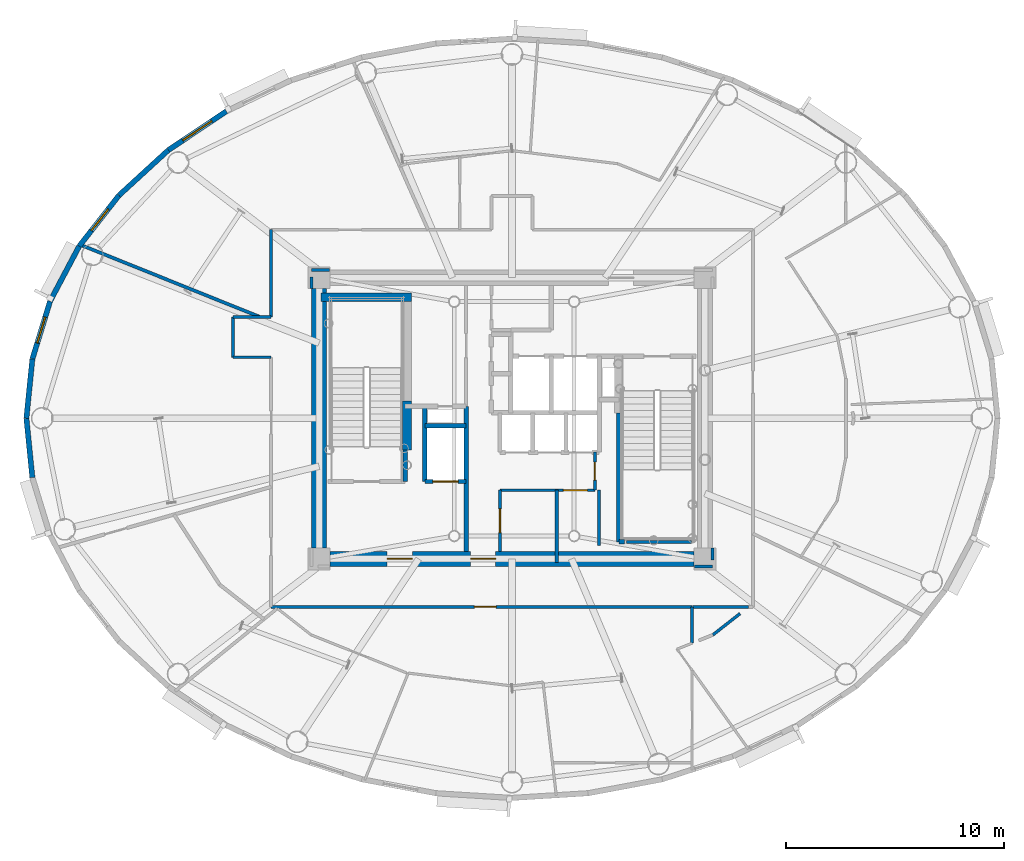
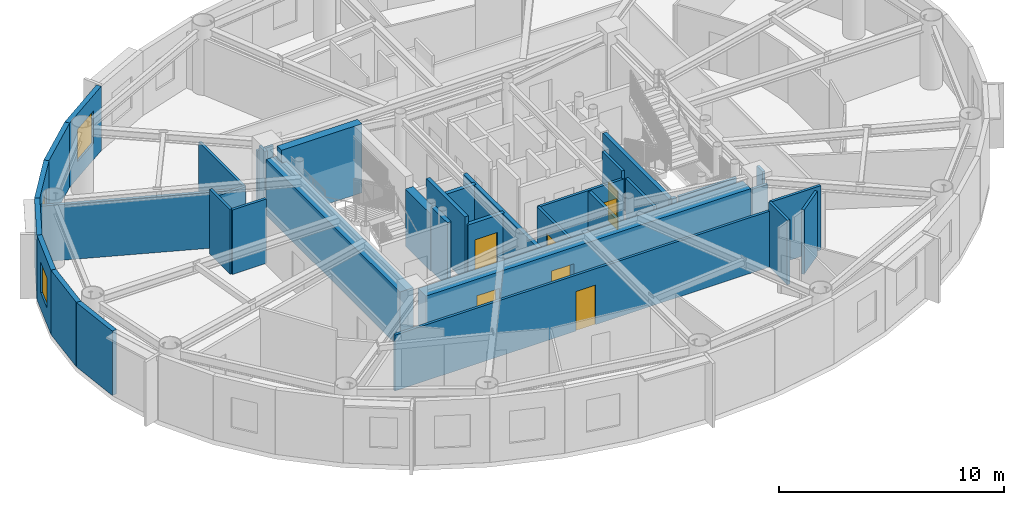
# One storey, part 7 of 17: 37 walls, 7 doors, 3 windows, 10 openings.
"""IFC4 building model written with IfcOpenShell, lengths in metres."""

from ifc_helpers import new_model, si_unit, direction, frame, frame_2d, origin, origin_2d, place, context, subcontext, project, spatial, rectangle, extrude, source, transform, mapped, material, layer, layer_set, type_object, element, fill, save


model = new_model("IFC4")

# Units and contexts
model_context = context("Model", 3, precision=1e-05, world=origin(), true_north=direction((0.0, 1.0)))
body_context = subcontext(model_context, "Body", "Model", "MODEL_VIEW")
ifc_project = project(units=[si_unit("LENGTHUNIT", "METRE"), si_unit("AREAUNIT", "SQUARE_METRE"), si_unit("VOLUMEUNIT", "CUBIC_METRE"), si_unit("PLANEANGLEUNIT", "RADIAN"), si_unit("MASSUNIT", "GRAM", prefix="KILO")], contexts=[model_context])

# Site, building, storey
site_placement = place(None, origin())
site = spatial("IfcSite", under=ifc_project, at=site_placement, CompositionType="ELEMENT")
building_placement = place(site_placement, origin())
building = spatial("IfcBuilding", under=site, at=building_placement, Name="Linh Dai School and Residence Tower", CompositionType="ELEMENT")
storey_placement = place(building_placement, frame((0.0, 0.0, 310.5)))
storey = spatial("IfcBuildingStorey", under=building, at=storey_placement, Name="L77", CompositionType="ELEMENT", Elevation=310.5)

# Wall, opening, window
ifc_material_1 = material(Name="Precast Concrete B45 (C35/45)", Category="concrete")
ifc_layer_1 = layer(ifc_material_1, 0.239990234375)
ifc_layer_set_1 = layer_set([ifc_layer_1], Name="Precast Concrete B45 (C35/45)")
wall_type_1 = type_object("IfcWallType", Name="EW-TC-240", PredefinedType="SOLIDWALL", material=ifc_layer_set_1)
wall_1_placement = place(storey_placement, frame((20.23779296875, 39.30419921875, 0.0), z_axis=(0.0, 0.0, 1.0), x_axis=(0.831250592635, 0.55589787933, 0.0)))
wall_1 = element("IfcWall", 1, at=wall_1_placement, inside=storey, type_object=wall_type_1, Name="L77 Terracotta Exterior Wall 15", PredefinedType="SOLIDWALL", context=body_context, shape_type="SweptSolid", body=[
    extrude(rectangle(XDim=3.197265625, YDim=0.239990234375, at=frame_2d((1.5986328125, 0.0))), origin(), (0.0, 0.0, 1.0), 3.5),
])
opening_1_placement = place(wall_1_placement, frame((0.798583984375, 0.0, 0.89990234375)))
opening_1 = element("IfcOpeningElement", 2, at=opening_1_placement, cuts=wall_1, Name="Opening W2", PredefinedType="OPENING", context=body_context, shape_type="SweptSolid", body=[
    extrude(rectangle(XDim=1.60009765625, YDim=1.75, at=origin_2d()), frame((0.800048828125, 0.1298828125, 0.875), z_axis=(0.0, -1.0, 0.0), x_axis=(1.0, 0.0, 0.0)), (0.0, 0.0, 1.0), 0.260009765625),
])
ifc_material_2 = material(Name="Double Low-E Insulated Glazing", Category="glass")
window_type_1 = type_object("IfcWindowType", Name="WN-RES-1600x1750", PartitioningType="DOUBLE_PANEL_VERTICAL", PredefinedType="WINDOW", material=ifc_material_2)
shared_shape_1 = source(origin(), body_context, "Body", "SweptSolid", [
    extrude(rectangle(XDim=1.60009765625, YDim=1.75, at=origin_2d()), frame((0.800048828125, 0.030029296875, 0.875), z_axis=(0.0, -1.0, 0.0), x_axis=(1.0, 0.0, 0.0)), (0.0, 0.0, 1.0), 0.06005859375),
])
window_1_placement = place(opening_1_placement, origin())
window_1 = element("IfcWindow", 3, at=window_1_placement, inside=storey, type_object=window_type_1, Name="L77 Exterior Window 15.1", OverallHeight=1.75, OverallWidth=1.60009765625, PartitioningType="DOUBLE_PANEL_VERTICAL", PredefinedType="WINDOW", context=body_context, shape_type="MappedRepresentation", body=[
    mapped(shared_shape_1, transform((0.0, 0.0, 0.0), x_axis=(1.0, 0.0, 0.0), y_axis=(0.0, 1.0, 0.0), z_axis=(0.0, 0.0, 1.0), scale=1.0)),
])
fill(opening_1, window_1)

# Wall
wall_2_placement = place(storey_placement, frame((17.9697265625, 37.224609375, 0.0), z_axis=(0.0, 0.0, 1.0), x_axis=(0.737068506972, 0.675818034703, 0.0)))
element("IfcWall", 4, at=wall_2_placement, inside=storey, type_object=wall_type_1, Name="L77 Terracotta Exterior Wall 16", PredefinedType="SOLIDWALL", context=body_context, shape_type="SweptSolid", body=[
    extrude(rectangle(XDim=3.0771484375, YDim=0.239990234375, at=frame_2d((1.53857421875, 0.0))), origin(), (0.0, 0.0, 1.0), 3.5),
])

# Wall, opening, window
wall_3_placement = place(storey_placement, frame((16.146240234375, 34.894775390625, 0.0), z_axis=(0.0, 0.0, 1.0), x_axis=(0.616337186556, 0.787482363275, 0.0)))
wall_3 = element("IfcWall", 5, at=wall_3_placement, inside=storey, type_object=wall_type_1, Name="L77 Terracotta Exterior Wall 17", PredefinedType="SOLIDWALL", context=body_context, shape_type="SweptSolid", body=[
    extrude(rectangle(XDim=2.95849609375, YDim=0.239990234375, at=frame_2d((1.479248046875, 0.0))), origin(), (0.0, 0.0, 1.0), 3.5),
])
opening_2_placement = place(wall_3_placement, frame((0.90869140625, 0.0, 0.89990234375)))
opening_2 = element("IfcOpeningElement", 6, at=opening_2_placement, cuts=wall_3, Name="Opening W3", PredefinedType="OPENING", context=body_context, shape_type="SweptSolid", body=[
    extrude(rectangle(XDim=1.25, YDim=1.64990234375, at=origin_2d()), frame((0.625, 0.1298828125, 0.824951171875), z_axis=(0.0, -1.0, 0.0), x_axis=(1.0, 0.0, 0.0)), (0.0, 0.0, 1.0), 0.260009765625),
])
window_type_2 = type_object("IfcWindowType", Name="WN-RES-1250x1650", PartitioningType="SINGLE_PANEL", PredefinedType="WINDOW", material=ifc_material_2)
shared_shape_2 = source(origin(), body_context, "Body", "SweptSolid", [
    extrude(rectangle(XDim=1.25, YDim=1.64990234375, at=origin_2d()), frame((0.625, 0.030029296875, 0.824951171875), z_axis=(0.0, -1.0, 0.0), x_axis=(1.0, 0.0, 0.0)), (0.0, 0.0, 1.0), 0.06005859375),
])
window_2_placement = place(opening_2_placement, origin())
window_2 = element("IfcWindow", 7, at=window_2_placement, inside=storey, type_object=window_type_2, Name="L77 Exterior Window 17.1", OverallHeight=1.64990234375, OverallWidth=1.25, PartitioningType="SINGLE_PANEL", PredefinedType="WINDOW", context=body_context, shape_type="MappedRepresentation", body=[
    mapped(shared_shape_2, transform((0.0, 0.0, 0.0), x_axis=(1.0, 0.0, 0.0), y_axis=(0.0, 1.0, 0.0), z_axis=(0.0, 0.0, 1.0), scale=1.0)),
])
fill(opening_2, window_2)

# Wall
wall_4_placement = place(storey_placement, frame((14.811767578125, 32.372314453125, 0.0), z_axis=(0.0, 0.0, 1.0), x_axis=(0.467628269026, 0.883925224218, 0.0)))
element("IfcWall", 8, at=wall_4_placement, inside=storey, type_object=wall_type_1, Name="L77 Terracotta Exterior Wall 18", PredefinedType="SOLIDWALL", context=body_context, shape_type="SweptSolid", body=[
    extrude(rectangle(XDim=2.853759765625, YDim=0.239990234375, at=frame_2d((1.4267578125, 0.0))), origin(), (0.0, 0.0, 1.0), 3.5),
])

# Wall, opening, window
wall_5_placement = place(storey_placement, frame((13.998291015625, 29.718994140625, 0.0), z_axis=(0.0, 0.0, 1.0), x_axis=(0.2931213403, 0.956075248012, 0.0)))
wall_5 = element("IfcWall", 9, at=wall_5_placement, inside=storey, type_object=wall_type_1, Name="L77 Terracotta Exterior Wall 19", PredefinedType="SOLIDWALL", context=body_context, shape_type="SweptSolid", body=[
    extrude(rectangle(XDim=2.775146484375, YDim=0.239990234375, at=frame_2d((1.3876953125, 0.0))), origin(), (0.0, 0.0, 1.0), 3.5),
])
opening_3_placement = place(wall_5_placement, frame((0.7626953125, 0.0, 0.89990234375)))
opening_3 = element("IfcOpeningElement", 10, at=opening_3_placement, cuts=wall_5, Name="Opening W3", PredefinedType="OPENING", context=body_context, shape_type="SweptSolid", body=[
    extrude(rectangle(XDim=1.25, YDim=1.64990234375, at=origin_2d()), frame((0.625, 0.1298828125, 0.824951171875), z_axis=(0.0, -1.0, 0.0), x_axis=(1.0, 0.0, 0.0)), (0.0, 0.0, 1.0), 0.260009765625),
])
window_3_placement = place(opening_3_placement, origin())
window_3 = element("IfcWindow", 11, at=window_3_placement, inside=storey, type_object=window_type_2, Name="L77 Exterior Window 19.1", OverallHeight=1.64990234375, OverallWidth=1.25, PartitioningType="SINGLE_PANEL", PredefinedType="WINDOW", context=body_context, shape_type="MappedRepresentation", body=[
    mapped(shared_shape_2, transform((0.0, 0.0, 0.0), x_axis=(1.0, 0.0, 0.0), y_axis=(0.0, 1.0, 0.0), z_axis=(0.0, 0.0, 1.0), scale=1.0)),
])
fill(opening_3, window_3)

# Walls
for number, where, z_axis, x_axis, name in (
    (12, (13.72509765625, 27.0, 0.0), (0.0, 0.0, 1.0), (0.099972526841, 0.99499019788, 0.0), "L77 Terracotta Exterior Wall 20"),
    (13, (13.998291015625, 24.281005859375, 0.0), (0.0, 0.0, 1.0), (-0.099972526841, 0.99499019788, 0.0), "L77 Terracotta Exterior Wall 21"),
):
    element("IfcWall", number, at=place(storey_placement, frame(where, z_axis=z_axis, x_axis=x_axis)), inside=storey, type_object=wall_type_1, Name=name, PredefinedType="SOLIDWALL", context=body_context, shape_type="SweptSolid", body=[
        extrude(rectangle(XDim=2.732666015625, YDim=0.239990234375, at=frame_2d((1.3662109375, 0.0))), origin(), (0.0, 0.0, 1.0), 3.5),
    ])
ifc_material_3 = material(Name="Autoclaved Aerated Concrete Blockwork", Category="masonry")
ifc_layer_2 = layer(ifc_material_3, 0.135009765625)
ifc_layer_set_2 = layer_set([ifc_layer_2], Name="Autoclaved Aerated Concrete Blockwork")
wall_type_2 = type_object("IfcWallType", Name="IW-CORR-135-EI90", PredefinedType="PARTITIONING", material=ifc_layer_set_2)
wall_6_placement = place(storey_placement, frame((23.199951171875, 29.800048828125, 0.0), z_axis=(0.0, 0.0, 1.0), x_axis=(0.0, 1.0, 0.0)))
element("IfcWall", 14, at=wall_6_placement, inside=storey, type_object=wall_type_2, Name="L77 Interior Partition Wall 006", PredefinedType="PARTITIONING", context=body_context, shape_type="SweptSolid", body=[
    extrude(rectangle(XDim=1.849853515625, YDim=0.135009765625, at=frame_2d((0.9248046875, 0.0))), origin(), (0.0, 0.0, 1.0), 3.5),
])
wall_7_placement = place(storey_placement, frame((23.199951171875, 29.800048828125, 0.0), z_axis=(0.0, 0.0, 1.0), x_axis=(1.0, 0.0, 0.0)))
element("IfcWall", 15, at=wall_7_placement, inside=storey, type_object=wall_type_2, Name="L77 Interior Partition Wall 007", PredefinedType="PARTITIONING", context=body_context, shape_type="SweptSolid", body=[
    extrude(rectangle(XDim=1.75, YDim=0.135009765625, at=frame_2d((0.875, 0.0))), origin(), (0.0, 0.0, 1.0), 3.5),
])
wall_8_placement = place(storey_placement, frame((23.199951171875, 31.64990234375, 0.0), z_axis=(0.0, 0.0, 1.0), x_axis=(1.0, 0.0, 0.0)))
element("IfcWall", 16, at=wall_8_placement, inside=storey, type_object=wall_type_2, Name="L77 Interior Partition Wall 008", PredefinedType="PARTITIONING", context=body_context, shape_type="SweptSolid", body=[
    extrude(rectangle(XDim=1.75, YDim=0.135009765625, at=frame_2d((0.875, 0.0))), origin(), (0.0, 0.0, 1.0), 3.034912109375),
])

# Wall, opening, door
wall_9_placement = place(storey_placement, frame((24.949951171875, 18.35009765625, 0.0), z_axis=(0.0, 0.0, 1.0), x_axis=(1.0, 0.0, 0.0)))
wall_9 = element("IfcWall", 17, at=wall_9_placement, inside=storey, type_object=wall_type_2, Name="L77 Interior Partition Wall 010", PredefinedType="PARTITIONING", context=body_context, shape_type="SweptSolid", body=[
    extrude(rectangle(XDim=19.310546875, YDim=0.135009765625, at=frame_2d((9.6552734375, 0.0))), origin(), (0.0, 0.0, 1.0), 3.034912109375),
])
opening_4_placement = place(wall_9_placement, frame((9.3193359375, 0.0, 0.0)))
opening_4 = element("IfcOpeningElement", 18, at=opening_4_placement, cuts=wall_9, Name="Opening D03", PredefinedType="OPENING", context=body_context, shape_type="SweptSolid", body=[
    extrude(rectangle(XDim=1.0, YDim=2.14990234375, at=origin_2d()), frame((0.5, 0.07763671875, 1.074951171875), z_axis=(0.0, -1.0, 0.0), x_axis=(1.0, 0.0, 0.0)), (0.0, 0.0, 1.0), 0.155029296875),
])
ifc_material_4 = material(Name="Fire-Rated Solid Timber Entrance Door", Category="wood")
door_type_1 = type_object("IfcDoorType", Name="DR-FLAT-1000x2150-FD60S", OperationType="NOTDEFINED", PredefinedType="DOOR", material=ifc_material_4)
shared_shape_3 = source(origin(), body_context, "Body", "SweptSolid", [
    extrude(rectangle(XDim=1.0, YDim=2.14990234375, at=origin_2d()), frame((0.5, 0.02490234375, 1.074951171875), z_axis=(0.0, -1.0, 0.0), x_axis=(1.0, 0.0, 0.0)), (0.0, 0.0, 1.0), 0.050048828125),
])
door_1_placement = place(opening_4_placement, origin())
door_1 = element("IfcDoor", 19, at=door_1_placement, inside=storey, type_object=door_type_1, Name="L77 U7701 Apartment Entrance Door", OperationType="SINGLE_SWING_RIGHT", OverallHeight=2.14990234375, OverallWidth=1.0, PredefinedType="DOOR", context=body_context, shape_type="MappedRepresentation", body=[
    mapped(shared_shape_3, transform((0.0, 0.0, 0.0), x_axis=(1.0, 0.0, 0.0), y_axis=(0.0, 1.0, 0.0), z_axis=(0.0, 0.0, 1.0), scale=1.0)),
])
fill(opening_4, door_1)

# Wall
wall_10_placement = place(storey_placement, frame((24.949951171875, 31.64990234375, 0.0), z_axis=(0.0, 0.0, 1.0), x_axis=(0.0, 1.0, 0.0)))
element("IfcWall", 20, at=wall_10_placement, inside=storey, type_object=wall_type_2, Name="L77 Interior Partition Wall 011", PredefinedType="PARTITIONING", context=body_context, shape_type="SweptSolid", body=[
    extrude(rectangle(XDim=4.0, YDim=0.135009765625, at=frame_2d((2.0, 0.0))), origin(), (0.0, 0.0, 1.0), 3.034912109375),
])

# Wall, opening, door
wall_11_placement = place(storey_placement, frame((35.449951171875, 20.89990234375, 0.0), z_axis=(0.0, 0.0, 1.0), x_axis=(0.0, 1.0, 0.0)))
wall_11 = element("IfcWall", 21, at=wall_11_placement, inside=storey, type_object=wall_type_2, Name="L77 Interior Partition Wall 037", PredefinedType="PARTITIONING", context=body_context, shape_type="SweptSolid", body=[
    extrude(rectangle(XDim=2.800048828125, YDim=0.135009765625, at=frame_2d((1.39990234375, 0.0))), origin(), (0.0, 0.0, 1.0), 3.0849609375),
])
opening_5_placement = place(wall_11_placement, frame((0.85009765625, 0.0, 0.0)))
opening_5 = element("IfcOpeningElement", 22, at=opening_5_placement, cuts=wall_11, Name="Opening D07", PredefinedType="OPENING", context=body_context, shape_type="SweptSolid", body=[
    extrude(rectangle(XDim=1.10009765625, YDim=2.14990234375, at=origin_2d()), frame((0.550048828125, 0.07763671875, 1.074951171875), z_axis=(0.0, -1.0, 0.0), x_axis=(1.0, 0.0, 0.0)), (0.0, 0.0, 1.0), 0.155029296875),
])
ifc_material_5 = material(Name="Fire-Rated Louvred Steel Plant Door", Category="steel")
door_type_2 = type_object("IfcDoorType", Name="DR-PLT-1100x2150-FD60S", OperationType="NOTDEFINED", PredefinedType="DOOR", material=ifc_material_5)
shared_shape_4 = source(origin(), body_context, "Body", "SweptSolid", [
    extrude(rectangle(XDim=1.10009765625, YDim=2.14990234375, at=origin_2d()), frame((0.550048828125, 0.02490234375, 1.074951171875), z_axis=(0.0, -1.0, 0.0), x_axis=(1.0, 0.0, 0.0)), (0.0, 0.0, 1.0), 0.050048828125),
])
door_2_placement = place(opening_5_placement, origin())
door_2 = element("IfcDoor", 23, at=door_2_placement, inside=storey, type_object=door_type_2, Name="L77 Floor Electrical Switchroom Door", OperationType="SINGLE_SWING_LEFT", OverallHeight=2.14990234375, OverallWidth=1.10009765625, PredefinedType="DOOR", context=body_context, shape_type="MappedRepresentation", body=[
    mapped(shared_shape_4, transform((0.0, 0.0, 0.0), x_axis=(1.0, 0.0, 0.0), y_axis=(0.0, 1.0, 0.0), z_axis=(0.0, 0.0, 1.0), scale=1.0)),
])
fill(opening_5, door_2)

wall_12_placement = place(storey_placement, frame((35.449951171875, 23.699951171875, 0.0), z_axis=(0.0, 0.0, 1.0), x_axis=(1.0, 0.0, 0.0)))
wall_12 = element("IfcWall", 24, at=wall_12_placement, inside=storey, type_object=wall_type_2, Name="L77 Interior Partition Wall 038", PredefinedType="PARTITIONING", context=body_context, shape_type="SweptSolid", body=[
    extrude(rectangle(XDim=4.35009765625, YDim=0.135009765625, at=frame_2d((2.175048828125, 0.0))), origin(), (0.0, 0.0, 1.0), 3.0849609375),
])
opening_6_placement = place(wall_12_placement, frame((2.905029296875, 0.0, 0.0)))
opening_6 = element("IfcOpeningElement", 25, at=opening_6_placement, cuts=wall_12, Name="Opening D07", PredefinedType="OPENING", context=body_context, shape_type="SweptSolid", body=[
    extrude(rectangle(XDim=1.10009765625, YDim=2.14990234375, at=origin_2d()), frame((0.550048828125, 0.07763671875, 1.074951171875), z_axis=(0.0, -1.0, 0.0), x_axis=(1.0, 0.0, 0.0)), (0.0, 0.0, 1.0), 0.155029296875),
])
door_3_placement = place(opening_6_placement, origin())
door_3 = element("IfcDoor", 26, at=door_3_placement, inside=storey, type_object=door_type_2, Name="L77 Telecom Node Room Door", OperationType="SINGLE_SWING_RIGHT", OverallHeight=2.14990234375, OverallWidth=1.10009765625, PredefinedType="DOOR", context=body_context, shape_type="MappedRepresentation", body=[
    mapped(shared_shape_4, transform((0.0, 0.0, 0.0), x_axis=(1.0, 0.0, 0.0), y_axis=(0.0, 1.0, 0.0), z_axis=(0.0, 0.0, 1.0), scale=1.0)),
])
fill(opening_6, door_3)

wall_13_placement = place(storey_placement, frame((39.800048828125, 23.699951171875, 0.0), z_axis=(0.0, 0.0, 1.0), x_axis=(0.0, 1.0, 0.0)))
wall_13 = element("IfcWall", 27, at=wall_13_placement, inside=storey, type_object=wall_type_2, Name="L77 Interior Partition Wall 056", PredefinedType="PARTITIONING", context=body_context, shape_type="SweptSolid", body=[
    extrude(rectangle(XDim=1.75, YDim=0.135009765625, at=frame_2d((0.875, 0.0))), origin(), (0.0, 0.0, 1.0), 3.5),
])
opening_7_placement = place(wall_13_placement, frame((0.465087890625, 0.0, 0.0)))
opening_7 = element("IfcOpeningElement", 28, at=opening_7_placement, cuts=wall_13, Name="Opening D06", PredefinedType="OPENING", context=body_context, shape_type="SweptSolid", body=[
    extrude(rectangle(XDim=0.820068359375, YDim=2.10009765625, at=origin_2d()), frame((0.41015625, 0.07763671875, 1.050048828125), z_axis=(0.0, -1.0, 0.0), x_axis=(1.0, 0.0, 0.0)), (0.0, 0.0, 1.0), 0.155029296875),
])
ifc_material_6 = material(Name="Moisture-Resistant Timber Bathroom Door", Category="wood")
door_type_3 = type_object("IfcDoorType", Name="DR-WET-820x2100", OperationType="NOTDEFINED", PredefinedType="DOOR", material=ifc_material_6)
shared_shape_5 = source(origin(), body_context, "Body", "SweptSolid", [
    extrude(rectangle(XDim=0.820068359375, YDim=2.10009765625, at=origin_2d()), frame((0.41015625, 0.02490234375, 1.050048828125), z_axis=(0.0, -1.0, 0.0), x_axis=(1.0, 0.0, 0.0)), (0.0, 0.0, 1.0), 0.050048828125),
])
door_4_placement = place(opening_7_placement, origin())
door_4 = element("IfcDoor", 29, at=door_4_placement, inside=storey, type_object=door_type_3, Name="L77 East Linen Store Door", OperationType="SINGLE_SWING_LEFT", OverallHeight=2.10009765625, OverallWidth=0.820068359375, PredefinedType="DOOR", context=body_context, shape_type="MappedRepresentation", body=[
    mapped(shared_shape_5, transform((0.0, 0.0, 0.0), x_axis=(1.0, 0.0, 0.0), y_axis=(0.0, 1.0, 0.0), z_axis=(0.0, 0.0, 1.0), scale=1.0)),
])
fill(opening_7, door_4)

# Walls
wall_14_placement = place(storey_placement, frame((44.239990234375, 21.330078125, 0.0), z_axis=(0.0, 0.0, 1.0), x_axis=(-1.0, 0.0, 0.0)))
element("IfcWall", 30, at=wall_14_placement, inside=storey, type_object=wall_type_2, Name="L77 Interior Partition Wall 076", PredefinedType="PARTITIONING", context=body_context, shape_type="SweptSolid", body=[
    extrude(rectangle(XDim=2.97998046875, YDim=0.135009765625, at=frame_2d((1.489990234375, 0.0))), origin(), (0.0, 0.0, 1.0), 3.034912109375),
])
wall_15_placement = place(storey_placement, frame((40.0, 23.699951171875, 0.0), z_axis=(0.0, 0.0, 1.0), x_axis=(0.0, -1.0, 0.0)))
element("IfcWall", 31, at=wall_15_placement, inside=storey, type_object=wall_type_2, Name="L77 Interior Partition Wall 077", PredefinedType="PARTITIONING", context=body_context, shape_type="SweptSolid", body=[
    extrude(rectangle(XDim=2.5400390625, YDim=0.135009765625, at=frame_2d((1.27001953125, 0.0))), origin(), (0.0, 0.0, 1.0), 3.034912109375),
])
wall_16_placement = place(storey_placement, frame((46.84521484375, 18.35009765625, 0.0), z_axis=(0.0, 0.0, 1.0), x_axis=(-1.0, 0.0, 0.0)))
element("IfcWall", 32, at=wall_16_placement, inside=storey, type_object=wall_type_2, Name="L77 Interior Partition Wall 078", PredefinedType="PARTITIONING", context=body_context, shape_type="SweptSolid", body=[
    extrude(rectangle(XDim=2.57470703125, YDim=0.135009765625, at=frame_2d((1.287353515625, 0.0))), origin(), (0.0, 0.0, 1.0), 3.5),
])
wall_17_placement = place(storey_placement, frame((27.639892578125, 33.800048828125, 0.0), z_axis=(0.0, 0.0, 1.0), x_axis=(-1.0, 0.0, 0.0)))
element("IfcWall", 33, at=wall_17_placement, inside=storey, type_object=wall_type_2, Name="L77 Interior Partition Wall 080", PredefinedType="PARTITIONING", context=body_context, shape_type="SweptSolid", body=[
    extrude(rectangle(XDim=0.83984375, YDim=0.135009765625, at=frame_2d((0.419921875, 0.0))), origin(), (0.0, 0.0, 1.0), 3.034912109375),
])
wall_18_placement = place(storey_placement, frame((26.800048828125, 33.492431640625, 0.0), z_axis=(0.0, 0.0, 1.0), x_axis=(0.0, -1.0, 0.0)))
element("IfcWall", 34, at=wall_18_placement, inside=storey, type_object=wall_type_2, Name="L77 Interior Partition Wall 081", PredefinedType="PARTITIONING", context=body_context, shape_type="SweptSolid", body=[
    extrude(rectangle(XDim=0.532470703125, YDim=0.135009765625, at=frame_2d((0.26611328125, 0.0))), origin(), (0.0, 0.0, 1.0), 3.5),
])
wall_19_placement = place(storey_placement, frame((44.360107421875, 20.199951171875, 0.0), z_axis=(0.0, 0.0, 1.0), x_axis=(1.0, 0.0, 0.0)))
element("IfcWall", 35, at=wall_19_placement, inside=storey, type_object=wall_type_2, Name="L77 Interior Partition Wall 084", PredefinedType="PARTITIONING", context=body_context, shape_type="SweptSolid", body=[
    extrude(rectangle(XDim=0.83984375, YDim=0.135009765625, at=frame_2d((0.419921875, 0.0))), origin(), (0.0, 0.0, 1.0), 3.034912109375),
])
wall_20_placement = place(storey_placement, frame((45.199951171875, 20.507568359375, 0.0), z_axis=(0.0, 0.0, 1.0), x_axis=(0.0, 1.0, 0.0)))
element("IfcWall", 36, at=wall_20_placement, inside=storey, type_object=wall_type_2, Name="L77 Interior Partition Wall 085", PredefinedType="PARTITIONING", context=body_context, shape_type="SweptSolid", body=[
    extrude(rectangle(XDim=0.532470703125, YDim=0.135009765625, at=frame_2d((0.26611328125, 0.0))), origin(), (0.0, 0.0, 1.0), 3.5),
])
wall_21_placement = place(storey_placement, frame((44.260498046875, 18.35009765625, 0.0), z_axis=(0.0, 0.0, 1.0), x_axis=(0.0, -1.0, 0.0)))
element("IfcWall", 37, at=wall_21_placement, inside=storey, type_object=wall_type_2, Name="L77 Interior Partition Wall 087", PredefinedType="PARTITIONING", context=body_context, shape_type="SweptSolid", body=[
    extrude(rectangle(XDim=1.66455078125, YDim=0.135009765625, at=frame_2d((0.832275390625, 0.0))), origin(), (0.0, 0.0, 1.0), 3.5),
])
wall_22_placement = place(storey_placement, frame((45.216552734375, 17.06689453125, 0.0), z_axis=(0.0, 0.0, 1.0), x_axis=(0.787329157173, 0.616532884982, 0.0)))
element("IfcWall", 38, at=wall_22_placement, inside=storey, type_object=wall_type_2, Name="L77 Interior Partition Wall 089", PredefinedType="PARTITIONING", context=body_context, shape_type="SweptSolid", body=[
    extrude(rectangle(XDim=1.582275390625, YDim=0.135009765625, at=frame_2d((0.791015625, 0.0))), origin(), (0.0, 0.0, 1.0), 3.5),
])
ifc_layer_3 = layer(ifc_material_3, 0.14990234375)
ifc_layer_set_3 = layer_set([ifc_layer_3], Name="Autoclaved Aerated Concrete Blockwork")
wall_type_3 = type_object("IfcWallType", Name="IW-SCH-150-EI60", PredefinedType="PARTITIONING", material=ifc_layer_set_3)
wall_23_placement = place(storey_placement, frame((16.19287109375, 34.96240234375, 0.0), z_axis=(0.0, 0.0, 1.0), x_axis=(0.927839710722, -0.372979183343, 0.0)))
element("IfcWall", 39, at=wall_23_placement, inside=storey, type_object=wall_type_3, Name="L77 Interior Partition Wall 002", PredefinedType="PARTITIONING", context=body_context, shape_type="SweptSolid", body=[
    extrude(rectangle(XDim=8.8740234375, YDim=0.14990234375, at=frame_2d((4.43701171875, 0.0))), origin(), (0.0, 0.0, 1.0), 3.034912109375),
])
wall_24_placement = place(storey_placement, frame((38.050048828125, 20.3798828125, 0.0), z_axis=(0.0, 0.0, 1.0), x_axis=(0.0, 1.0, 0.0)))
element("IfcWall", 40, at=wall_24_placement, inside=storey, type_object=wall_type_3, Name="L77 Interior Partition Wall 054", PredefinedType="PARTITIONING", context=body_context, shape_type="SweptSolid", body=[
    extrude(rectangle(XDim=3.320068359375, YDim=0.14990234375, at=frame_2d((1.66015625, 0.0))), origin(), (0.0, 0.0, 1.0), 3.034912109375),
])
ifc_material_7 = material(Name="Concrete B45 (C35/45)", Category="concrete")
ifc_layer_4 = layer(ifc_material_7, 0.199951171875)
ifc_layer_set_4 = layer_set([ifc_layer_4], Name="Concrete B45 (C35/45)")
wall_type_4 = type_object("IfcWallType", Name="IW-SHAFT-200-EI120", PredefinedType="PARTITIONING", material=ifc_layer_set_4)
wall_25_placement = place(storey_placement, frame((31.10009765625, 24.10009765625, 0.0), z_axis=(0.0, 0.0, 1.0), x_axis=(0.0, 1.0, 0.0)))
element("IfcWall", 41, at=wall_25_placement, inside=storey, type_object=wall_type_4, Name="L77 Interior Partition Wall 019", PredefinedType="PARTITIONING", context=body_context, shape_type="SweptSolid", body=[
    extrude(rectangle(XDim=1.43994140625, YDim=0.199951171875, at=frame_2d((0.719970703125, 0.0))), origin(), (0.0, 0.0, 1.0), 3.5),
])
wall_26_placement = place(storey_placement, frame((32.0, 24.10009765625, 0.0), z_axis=(0.0, 0.0, 1.0), x_axis=(0.0, 1.0, 0.0)))
element("IfcWall", 42, at=wall_26_placement, inside=storey, type_object=wall_type_4, Name="L77 Interior Partition Wall 023", PredefinedType="PARTITIONING", context=body_context, shape_type="SweptSolid", body=[
    extrude(rectangle(XDim=3.449951171875, YDim=0.199951171875, at=frame_2d((1.72509765625, 0.0))), origin(), (0.0, 0.0, 1.0), 3.5),
])

# Wall, opening, door
wall_27_placement = place(storey_placement, frame((32.0, 24.10009765625, 0.0), z_axis=(0.0, 0.0, 1.0), x_axis=(1.0, 0.0, 0.0)))
wall_27 = element("IfcWall", 43, at=wall_27_placement, inside=storey, type_object=wall_type_4, Name="L77 Interior Partition Wall 024", PredefinedType="PARTITIONING", context=body_context, shape_type="SweptSolid", body=[
    extrude(rectangle(XDim=1.89990234375, YDim=0.199951171875, at=frame_2d((0.949951171875, 0.0))), origin(), (0.0, 0.0, 1.0), 3.0849609375),
])
opening_8_placement = place(wall_27_placement, frame((0.375, 0.0, 0.0)))
opening_8 = element("IfcOpeningElement", 44, at=opening_8_placement, cuts=wall_27, Name="Opening LD-FF2", PredefinedType="OPENING", context=body_context, shape_type="SweptSolid", body=[
    extrude(rectangle(XDim=1.14990234375, YDim=2.14990234375, at=origin_2d()), frame((0.574951171875, 0.10986328125, 1.074951171875), z_axis=(0.0, -1.0, 0.0), x_axis=(1.0, 0.0, 0.0)), (0.0, 0.0, 1.0), 0.219970703125),
])
ifc_material_8 = material(Name="Fire-Rated Stainless Steel Firefighting Lift Door", Category="steel")
door_type_4 = type_object("IfcDoorType", Name="DR-LD-FF-1150x2150-FD120", OperationType="DOUBLE_DOOR_SLIDING", PredefinedType="USERDEFINED", material=ifc_material_8)
shared_shape_6 = source(origin(), body_context, "Body", "SweptSolid", [
    extrude(rectangle(XDim=1.14990234375, YDim=2.14990234375, at=origin_2d()), frame((0.574951171875, 0.02490234375, 1.074951171875), z_axis=(0.0, -1.0, 0.0), x_axis=(1.0, 0.0, 0.0)), (0.0, 0.0, 1.0), 0.050048828125),
])
door_5_placement = place(opening_8_placement, origin())
door_5 = element("IfcDoor", 45, at=door_5_placement, inside=storey, type_object=door_type_4, Name="L77 Lift FF2 Sliding Landing Door", ObjectType="LANDING DOOR", OperationType="DOUBLE_DOOR_SLIDING", OverallHeight=2.14990234375, OverallWidth=1.14990234375, PredefinedType="USERDEFINED", context=body_context, shape_type="MappedRepresentation", body=[
    mapped(shared_shape_6, transform((0.0, 0.0, 0.0), x_axis=(1.0, 0.0, 0.0), y_axis=(0.0, 1.0, 0.0), z_axis=(0.0, 0.0, 1.0), scale=1.0)),
])
fill(opening_8, door_5)

# Walls
wall_28_placement = place(storey_placement, frame((32.0, 26.64990234375, 0.0), z_axis=(0.0, 0.0, 1.0), x_axis=(1.0, 0.0, 0.0)))
element("IfcWall", 46, at=wall_28_placement, inside=storey, type_object=wall_type_4, Name="L77 Interior Partition Wall 025", PredefinedType="PARTITIONING", context=body_context, shape_type="SweptSolid", body=[
    extrude(rectangle(XDim=1.89990234375, YDim=0.199951171875, at=frame_2d((0.949951171875, 0.0))), origin(), (0.0, 0.0, 1.0), 3.0849609375),
])
wall_29_placement = place(storey_placement, frame((33.89990234375, 20.89990234375, 0.0), z_axis=(0.0, 0.0, 1.0), x_axis=(0.0, 1.0, 0.0)))
element("IfcWall", 47, at=wall_29_placement, inside=storey, type_object=wall_type_4, Name="L77 Interior Partition Wall 027", PredefinedType="PARTITIONING", context=body_context, shape_type="SweptSolid", body=[
    extrude(rectangle(XDim=6.650146484375, YDim=0.199951171875, at=frame_2d((3.3251953125, 0.0))), origin(), (0.0, 0.0, 1.0), 3.0849609375),
])
wall_30_placement = place(storey_placement, frame((40.89990234375, 21.330078125, 0.0), z_axis=(0.0, 0.0, 1.0), x_axis=(0.0, 1.0, 0.0)))
element("IfcWall", 48, at=wall_30_placement, inside=storey, type_object=wall_type_4, Name="L77 Interior Partition Wall 060", PredefinedType="PARTITIONING", context=body_context, shape_type="SweptSolid", body=[
    extrude(rectangle(XDim=5.909912109375, YDim=0.199951171875, at=frame_2d((2.955078125, 0.0))), origin(), (0.0, 0.0, 1.0), 3.034912109375),
])
wall_31_placement = place(storey_placement, frame((40.89990234375, 21.330078125, 0.0), z_axis=(0.0, 0.0, 1.0), x_axis=(1.0, 0.0, 0.0)))
element("IfcWall", 49, at=wall_31_placement, inside=storey, type_object=wall_type_4, Name="L77 Interior Partition Wall 061", PredefinedType="PARTITIONING", context=body_context, shape_type="SweptSolid", body=[
    extrude(rectangle(XDim=0.25, YDim=0.199951171875, at=frame_2d((0.125, 0.0))), origin(), (0.0, 0.0, 1.0), 3.034912109375),
])
ifc_layer_5 = layer(ifc_material_7, 0.39990234375)
ifc_layer_set_5 = layer_set([ifc_layer_5], Name="Concrete B45 (C35/45)")
wall_type_5 = type_object("IfcWallType", Name="WL-CORE400", PredefinedType="SHEAR", material=ifc_layer_set_5)
wall_32_placement = place(storey_placement, frame((27.25, 32.550048828125, 0.0), z_axis=(0.0, 0.0, 1.0), x_axis=(1.0, 0.0, 0.0)))
element("IfcWall", 50, at=wall_32_placement, inside=storey, type_object=wall_type_5, Name="L77 Core Stair ST1 Bearing Wall N", PredefinedType="SHEAR", context=body_context, shape_type="SweptSolid", body=[
    extrude(rectangle(XDim=4.1298828125, YDim=0.39990234375, at=frame_2d((2.06494140625, 0.0))), origin(), (0.0, 0.0, 1.0), 3.75),
])
wall_33_placement = place(storey_placement, frame((31.179931640625, 25.550048828125, 0.0), z_axis=(0.0, 0.0, 1.0), x_axis=(0.0, 1.0, 0.0)))
element("IfcWall", 51, at=wall_33_placement, inside=storey, type_object=wall_type_5, Name="L77 Internal Core Shear Wall IW", PredefinedType="SHEAR", context=body_context, shape_type="SweptSolid", body=[
    extrude(rectangle(XDim=2.25, YDim=0.39990234375, at=frame_2d((1.125, 0.0))), origin(), (0.0, 0.0, 1.0), 3.10009765625),
])

# Wall, openings, doors
ifc_layer_6 = layer(ifc_material_7, 0.699951171875)
ifc_layer_set_6 = layer_set([ifc_layer_6], Name="Concrete B45 (C35/45)")
wall_type_6 = type_object("IfcWallType", Name="WL-CORE700", PredefinedType="SHEAR", material=ifc_layer_set_6)
wall_34_placement = place(storey_placement, frame((44.35009765625, 20.550048828125, 0.0), z_axis=(0.0, 0.0, 1.0), x_axis=(-1.0, 0.0, 0.0)))
wall_34 = element("IfcWall", 52, at=wall_34_placement, inside=storey, type_object=wall_type_6, Name="L77 Central Core Shear Wall S", PredefinedType="SHEAR", context=body_context, shape_type="SweptSolid", body=[
    extrude(rectangle(XDim=16.7001953125, YDim=0.699951171875, at=frame_2d((8.35009765625, 0.0))), origin(), (0.0, 0.0, 1.0), 3.050048828125),
])
opening_9_placement = place(wall_34_placement, frame((12.925048828125, 0.0, 0.0)))
opening_9 = element("IfcOpeningElement", 53, at=opening_9_placement, cuts=wall_34, Name="Opening D02", PredefinedType="OPENING", context=body_context, shape_type="SweptSolid", body=[
    extrude(rectangle(XDim=1.14990234375, YDim=2.14990234375, at=origin_2d()), frame((0.574951171875, 0.35986328125, 1.074951171875), z_axis=(0.0, -1.0, 0.0), x_axis=(1.0, 0.0, 0.0)), (0.0, 0.0, 1.0), 0.719970703125),
])
opening_10_placement = place(wall_34_placement, frame((9.10009765625, 0.0, 0.0)))
opening_10 = element("IfcOpeningElement", 54, at=opening_10_placement, cuts=wall_34, Name="Opening D02", PredefinedType="OPENING", context=body_context, shape_type="SweptSolid", body=[
    extrude(rectangle(XDim=1.14990234375, YDim=2.14990234375, at=origin_2d()), frame((0.574951171875, 0.35986328125, 1.074951171875), z_axis=(0.0, -1.0, 0.0), x_axis=(1.0, 0.0, 0.0)), (0.0, 0.0, 1.0), 0.719970703125),
])
ifc_material_9 = material(Name="Fire-Rated Glazed Steel Lobby Door", Category="steel")
door_type_5 = type_object("IfcDoorType", Name="DR-LOBBY-1150x2150-FD90S", OperationType="NOTDEFINED", PredefinedType="DOOR", material=ifc_material_9)
shared_shape_7 = source(origin(), body_context, "Body", "SweptSolid", [
    extrude(rectangle(XDim=1.14990234375, YDim=2.14990234375, at=origin_2d()), frame((0.574951171875, 0.02490234375, 1.074951171875), z_axis=(0.0, -1.0, 0.0), x_axis=(1.0, 0.0, 0.0)), (0.0, 0.0, 1.0), 0.050048828125),
])
door_6_placement = place(opening_9_placement, origin())
door_6 = element("IfcDoor", 55, at=door_6_placement, inside=storey, type_object=door_type_5, Name="L77 Firefighting Lobby Door", OperationType="SINGLE_SWING_LEFT", OverallHeight=2.14990234375, OverallWidth=1.14990234375, PredefinedType="DOOR", context=body_context, shape_type="MappedRepresentation", body=[
    mapped(shared_shape_7, transform((0.0, 0.0, 0.0), x_axis=(1.0, 0.0, 0.0), y_axis=(0.0, 1.0, 0.0), z_axis=(0.0, 0.0, 1.0), scale=1.0)),
])
fill(opening_9, door_6)
door_7_placement = place(opening_10_placement, origin())
door_7 = element("IfcDoor", 56, at=door_7_placement, inside=storey, type_object=door_type_5, Name="L77 Passenger Foyer Access Door", OperationType="SINGLE_SWING_LEFT", OverallHeight=2.14990234375, OverallWidth=1.14990234375, PredefinedType="DOOR", context=body_context, shape_type="MappedRepresentation", body=[
    mapped(shared_shape_7, transform((0.0, 0.0, 0.0), x_axis=(1.0, 0.0, 0.0), y_axis=(0.0, 1.0, 0.0), z_axis=(0.0, 0.0, 1.0), scale=1.0)),
])
fill(opening_10, door_7)

# Wall
wall_35_placement = place(storey_placement, frame((27.14990234375, 21.050048828125, 0.0), z_axis=(0.0, 0.0, 1.0), x_axis=(0.0, 1.0, 0.0)))
element("IfcWall", 57, at=wall_35_placement, inside=storey, type_object=wall_type_6, Name="L77 Central Core Shear Wall W", PredefinedType="SHEAR", context=body_context, shape_type="SweptSolid", body=[
    extrude(rectangle(XDim=11.89990234375, YDim=0.699951171875, at=frame_2d((5.949951171875, 0.0))), origin(), (0.0, 0.0, 1.0), 3.050048828125),
])

save(model, "model.ifc")
